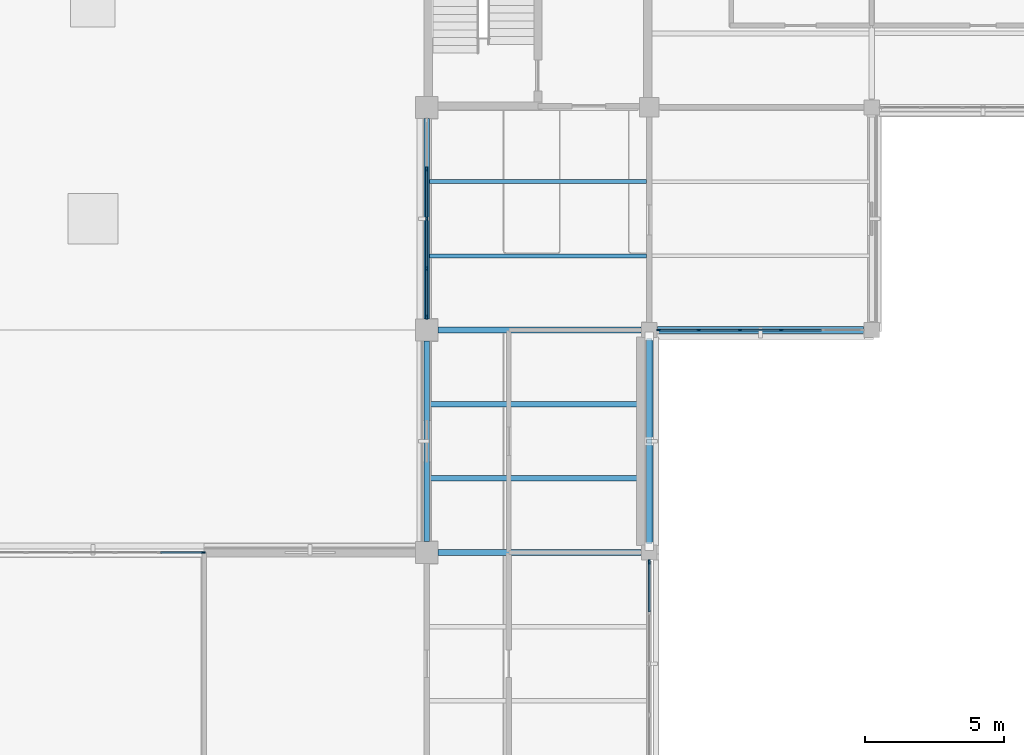
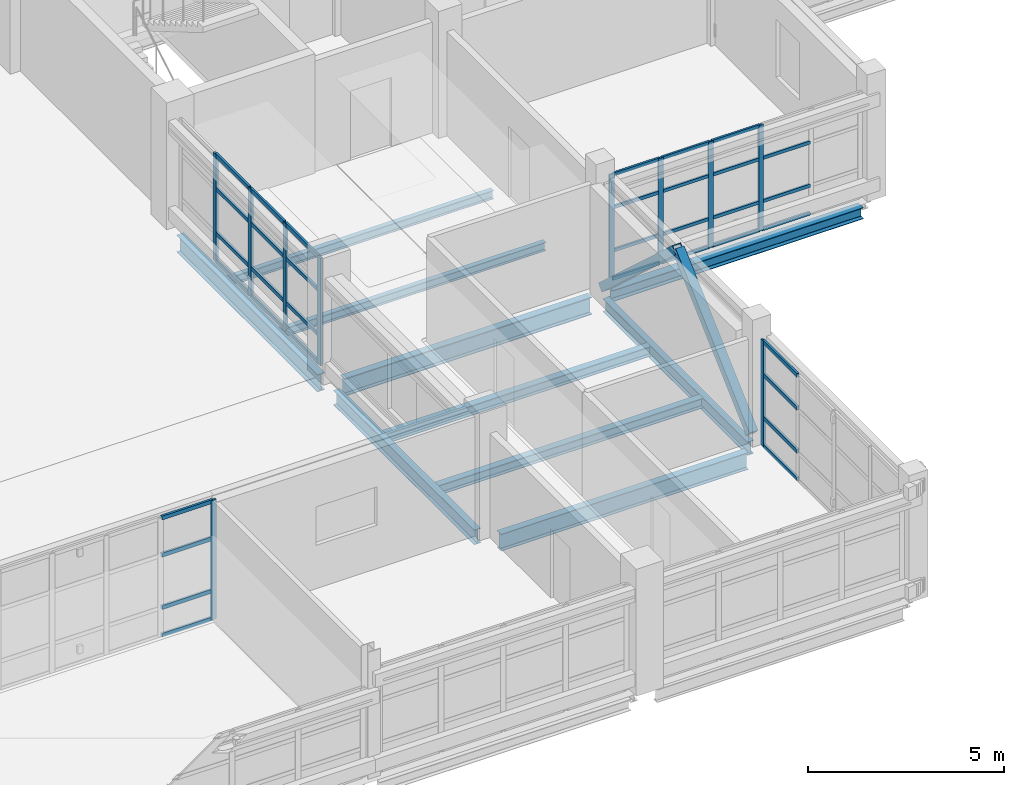
# One storey, part 24 of 107: 47 members, 10 beams, 4 elements without a shape of their own.
"""IFC4 building model written with IfcOpenShell, lengths in metres."""

import ifcopenshell
import ifcopenshell.guid

model = None  # the IFC model being written
_history = None  # IfcOwnerHistory: only IFC2X3 demands one
_inside = {}  # id of a spatial element -> (the spatial element, [elements in it])
_under = {}  # id of a project, library or spatial element -> (it, [spatial elements below it])
_declared = {}  # id of a project -> (the project, [libraries it declares])
_typed = {}  # id of a type object -> (the type object, [elements of that type])
_made_of = {}  # id of a material, layer set ... -> (it, [elements and type objects made of it])


def new_model(schema):
    """Start an empty IFC model of exactly this schema.

    Asked for "IFC4X3", IfcOpenShell would pick the latest addendum, in which some entities
    have other attributes; the version numbers below select the first issue.
    IFC2X3 requires an IfcOwnerHistory on every rooted entity: one is made here for all.
    """
    global model, _history
    if schema == "IFC4X3":
        model = ifcopenshell.file(schema_version=(4, 3, 0, 0))
    else:
        model = ifcopenshell.file(schema=schema)
    _inside.clear()
    _under.clear()
    _declared.clear()
    _typed.clear()
    _made_of.clear()
    _history = None
    if model.schema == "IFC2X3":
        org = make("IfcOrganization", Name="unknown")
        user = make(
            "IfcPersonAndOrganization",
            ThePerson=make("IfcPerson", FamilyName="unknown"),
            TheOrganization=org,
        )
        app = make(
            "IfcApplication",
            ApplicationDeveloper=org,
            Version="unknown",
            ApplicationFullName="unknown",
            ApplicationIdentifier="unknown",
        )
        _history = make(
            "IfcOwnerHistory",
            OwningUser=user,
            OwningApplication=app,
            ChangeAction="ADDED",
            CreationDate=0,
        )
    return model


def make(cls, **values):
    """One entity of the class cls with the attributes given. An attribute that is None is left unset."""
    return model.create_entity(
        cls, **{name: value for name, value in values.items() if value is not None}
    )


def rooted(cls, **values):
    """An entity with a GlobalId (a new one), such as an element, a storey or a relation."""
    return make(cls, GlobalId=ifcopenshell.guid.new(), OwnerHistory=_history, **values)


def si_unit(unit_type, name, prefix=None):
    """IfcSIUnit, for example si_unit("LENGTHUNIT", "METRE", prefix="MILLI")."""
    return make("IfcSIUnit", UnitType=unit_type, Prefix=prefix, Name=name)


def derived_unit(unit_type, elements):
    """IfcDerivedUnit: a product of units, each with its exponent."""
    return make(
        "IfcDerivedUnit",
        Elements=[
            make("IfcDerivedUnitElement", Unit=unit, Exponent=power)
            for unit, power in elements
        ],
        UnitType=unit_type,
    )


def assignment(units):
    """IfcUnitAssignment: the units of a project."""
    return None if units is None else make("IfcUnitAssignment", Units=units)


def point(xyz):
    """IfcCartesianPoint."""
    return None if xyz is None else make("IfcCartesianPoint", Coordinates=xyz)


def direction(xyz):
    """IfcDirection."""
    return None if xyz is None else make("IfcDirection", DirectionRatios=xyz)


def frame(location, z_axis=None, x_axis=None):
    """IfcAxis2Placement3D, a coordinate frame: its origin and axes. An axis left out is left unset."""
    return make(
        "IfcAxis2Placement3D",
        Location=point(location),
        Axis=direction(z_axis),
        RefDirection=direction(x_axis),
    )


def frame_2d(location, x_axis=None):
    """IfcAxis2Placement2D, a coordinate frame in the plane: its origin and x axis."""
    return make(
        "IfcAxis2Placement2D", Location=point(location), RefDirection=direction(x_axis)
    )


def origin():
    """The frame at (0, 0, 0) with its axes left unset."""
    return frame((0.0, 0.0, 0.0))


def origin_2d():
    """The frame at (0, 0) in the plane with its x axis left unset."""
    return frame_2d((0.0, 0.0))


def place(relative_to, where):
    """IfcLocalPlacement: puts the frame where relative to a parent placement (None: the world)."""
    return make(
        "IfcLocalPlacement", PlacementRelTo=relative_to, RelativePlacement=where
    )


def context(
    kind, dimensions, precision=None, world=None, true_north=None, identifier=None
):
    """IfcGeometricRepresentationContext, for example the 3D "Model" context."""
    return make(
        "IfcGeometricRepresentationContext",
        ContextIdentifier=identifier,
        ContextType=kind,
        CoordinateSpaceDimension=dimensions,
        Precision=precision,
        WorldCoordinateSystem=world,
        TrueNorth=true_north,
    )


def subcontext(parent, identifier, kind, view, scale=None):
    """IfcGeometricRepresentationSubContext, for example "Body" below "Model"."""
    return make(
        "IfcGeometricRepresentationSubContext",
        ContextIdentifier=identifier,
        ContextType=kind,
        ParentContext=parent,
        TargetScale=scale,
        TargetView=view,
    )


def project(units=None, contexts=None):
    """IfcProject with its units and contexts."""
    return rooted(
        "IfcProject",
        Name="project",
        RepresentationContexts=contexts,
        UnitsInContext=assignment(units),
    )


def spatial(cls, under=None, at=None, **own):
    """A site, building, storey or space (cls), placed at a placement, below another one or the project."""
    s = rooted(cls, ObjectPlacement=at, **own)
    if under is not None:
        _under.setdefault(under.id(), (under, []))[1].append(s)
    return s


def profile(cls, at=None, kind="AREA", **sizes):
    """A parametric profile (cls). Its sizes go by their IFC names, for example OverallWidth=200.0."""
    return make(cls, ProfileType=kind, Position=at, **sizes)


def rectangle(**sizes):
    """IfcRectangleProfileDef."""
    return profile("IfcRectangleProfileDef", **sizes)


def hollow_rectangle(**sizes):
    """IfcRectangleHollowProfileDef."""
    return profile("IfcRectangleHollowProfileDef", **sizes)


def i_section(**sizes):
    """IfcIShapeProfileDef."""
    return profile("IfcIShapeProfileDef", **sizes)


def extrude(swept, where, along, depth):
    """IfcExtrudedAreaSolid: the profile swept, set in the frame where, extruded along a direction by depth."""
    return make(
        "IfcExtrudedAreaSolid",
        SweptArea=swept,
        Position=where,
        ExtrudedDirection=direction(along),
        Depth=depth,
    )


def shape(context_of_items, identifier, shape_type, items):
    """IfcShapeRepresentation: the items that make up one representation, for example the "Body"."""
    return make(
        "IfcShapeRepresentation",
        ContextOfItems=context_of_items,
        RepresentationIdentifier=identifier,
        RepresentationType=shape_type,
        Items=items,
    )


def material(Name=None, Category=None):
    """IfcMaterial."""
    return make("IfcMaterial", Name=Name, Category=Category)


def layer(
    of_material, thickness, ventilated=None, Name=None, Category=None, Priority=None
):
    """IfcMaterialLayer: one layer of a wall or slab, of a material (None: an air gap)."""
    return make(
        "IfcMaterialLayer",
        Material=of_material,
        LayerThickness=thickness,
        IsVentilated=ventilated,
        Name=Name,
        Category=Category,
        Priority=Priority,
    )


def layer_set(layers, Name=None):
    """IfcMaterialLayerSet."""
    return make("IfcMaterialLayerSet", MaterialLayers=layers, LayerSetName=Name)


def material_profile(
    of_material, cross_section, Name=None, Category=None, Priority=None
):
    """IfcMaterialProfile: a cross section and its material."""
    return make(
        "IfcMaterialProfile",
        Name=Name,
        Material=of_material,
        Profile=cross_section,
        Priority=Priority,
        Category=Category,
    )


def profile_set(profiles, Name=None, composite=None):
    """IfcMaterialProfileSet."""
    return make(
        "IfcMaterialProfileSet",
        Name=Name,
        MaterialProfiles=profiles,
        CompositeProfile=composite,
    )


def made_of(thing, what):
    """Note that an element or type object is made of a material, layer set ...; save() writes the relation."""
    if what is not None:
        _made_of.setdefault(what.id(), (what, []))[1].append(thing)
    return thing


def type_object(cls, material=None, **own):
    """A type object (cls), such as IfcWallType, which elements share."""
    return made_of(rooted(cls, **own), material)


def element(
    cls,
    number,
    at=None,
    inside=None,
    cuts=None,
    type_object=None,
    material=None,
    context=None,
    identifier="Body",
    shape_type=None,
    held_by="IfcProductDefinitionShape",
    body=None,
    shapes=None,
    **own,
):
    """One element of the class cls, such as IfcWall. Its Tag is "e" and its number.

    at: its placement. inside: the storey or other place that contains it. cuts: it is an
    opening in that element (IfcRelVoidsElement). A single representation is given by context,
    identifier, shape_type and body (its items); several are given by shapes. held_by: the class
    of the entity that holds the representations. save() writes the other relations.
    """
    e = rooted(cls, Tag="e%d" % number, ObjectPlacement=at, **own)
    if body is not None:
        shapes = [shape(context, identifier, shape_type, body)]
    if shapes is not None:
        e.Representation = make(held_by, Representations=shapes)
    if inside is not None:
        _inside.setdefault(inside.id(), (inside, []))[1].append(e)
    if cuts is not None:
        rooted(
            "IfcRelVoidsElement", RelatingBuildingElement=cuts, RelatedOpeningElement=e
        )
    if type_object is not None:
        _typed.setdefault(type_object.id(), (type_object, []))[1].append(e)
    return made_of(e, material)


def aggregate(whole, parts):
    """IfcRelAggregates: a whole, such as a stair, and the parts it consists of."""
    return rooted("IfcRelAggregates", RelatingObject=whole, RelatedObjects=parts)


def save(model, path):
    """Write the relations noted so far, then the file.

    IfcRelAggregates (storeys below a building ...), IfcRelContainedInSpatialStructure (elements
    in a storey), IfcRelDefinesByType, IfcRelAssociatesMaterial and IfcRelDeclares: one each for
    every whole, place, type object, material and project.
    """
    for whole, parts in _under.values():
        aggregate(whole, parts)
    for where, things in _inside.values():
        rooted(
            "IfcRelContainedInSpatialStructure",
            RelatedElements=things,
            RelatingStructure=where,
        )
    for kind, things in _typed.values():
        rooted("IfcRelDefinesByType", RelatedObjects=things, RelatingType=kind)
    for what, things in _made_of.values():
        rooted("IfcRelAssociatesMaterial", RelatedObjects=things, RelatingMaterial=what)
    for by, libraries in _declared.values():
        rooted("IfcRelDeclares", RelatingContext=by, RelatedDefinitions=libraries)
    model.write(path)


model = new_model("IFC4")

# Units and contexts
model_context = context("Model", 3, precision=1e-05, world=origin(), true_north=direction((0.0, 1.0)))
body_context = subcontext(model_context, "Body", "Model", "MODEL_VIEW")
ifc_project = project(units=[si_unit("LENGTHUNIT", "METRE"), si_unit("AREAUNIT", "SQUARE_METRE"), si_unit("VOLUMEUNIT", "CUBIC_METRE"), si_unit("PLANEANGLEUNIT", "RADIAN"), si_unit("MASSUNIT", "GRAM", prefix="KILO"), derived_unit("THERMALTRANSMITTANCEUNIT", [(si_unit("MASSUNIT", "GRAM", prefix="KILO"), 1), (si_unit("TIMEUNIT", "SECOND"), -3), (si_unit("THERMODYNAMICTEMPERATUREUNIT", "KELVIN"), -1)])], contexts=[model_context])

# Site, building, storey
site_placement = place(None, origin())
site = spatial("IfcSite", under=ifc_project, at=site_placement, CompositionType="ELEMENT")
building_placement = place(site_placement, origin())
building = spatial("IfcBuilding", under=site, at=building_placement, Name="Veyamyaing Civic Hall", CompositionType="ELEMENT")
storey_placement = place(building_placement, frame((0.0, 0.0, 13.860107421875)))
storey = spatial("IfcBuildingStorey", under=building, at=storey_placement, Name="L03", CompositionType="ELEMENT", Elevation=13.860107421875)

# Beams
ifc_material_1 = material(Name="Steel ASTM A992", Category="steel")
ifc_material_profile_1 = material_profile(ifc_material_1, i_section(OverallWidth=0.208984375, OverallDepth=0.532958984375, WebThickness=0.01025390625, FlangeThickness=0.015625, FilletRadius=0.011962890625, at=origin_2d()), Name="W530X92")
ifc_profile_set_1 = profile_set([ifc_material_profile_1], Name="Steel ASTM A992")
beam_type_1 = type_object("IfcBeamType", Name="B-07", PredefinedType="BEAM", material=ifc_profile_set_1)
beam_1_placement = place(storey_placement, frame((104.39990234375, 32.0, -0.521728515625), z_axis=(1.0, 0.0, 0.0), x_axis=(0.0, 1.0, 0.0)))
element("IfcBeam", 1, at=beam_1_placement, inside=storey, type_object=beam_type_1, Name="Girder B-07 L03 Grid E 14-15", PredefinedType="BEAM", context=body_context, shape_type="SweptSolid", body=[
    extrude(i_section(OverallWidth=0.208984375, OverallDepth=0.532958984375, WebThickness=0.01025390625, FlangeThickness=0.015625, FilletRadius=0.011962890625, at=origin_2d()), origin(), (0.0, 0.0, 1.0), 7.300048828125),
])
ifc_material_profile_2 = material_profile(ifc_material_1, i_section(OverallWidth=0.19189453125, OverallDepth=0.462890625, WebThickness=0.010498046875, FlangeThickness=0.017578125, FilletRadius=0.010009765625, at=origin_2d()), Name="W460X89")
ifc_profile_set_2 = profile_set([ifc_material_profile_2], Name="Steel ASTM A992")
beam_type_2 = type_object("IfcBeamType", Name="B-08", PredefinedType="BEAM", material=ifc_profile_set_2)
beam_2_placement = place(storey_placement, frame((104.0, 32.39990234375, -0.486572265625), z_axis=(0.0, 1.0, 0.0), x_axis=(-1.0, 0.0, 0.0)))
element("IfcBeam", 2, at=beam_2_placement, inside=storey, type_object=beam_type_2, Name="Girder B-08 L03 Grid 14 E-F", PredefinedType="BEAM", context=body_context, shape_type="SweptSolid", body=[
    extrude(i_section(OverallWidth=0.19189453125, OverallDepth=0.462890625, WebThickness=0.010498046875, FlangeThickness=0.017578125, FilletRadius=0.010009765625, at=origin_2d()), origin(), (0.0, 0.0, 1.0), 7.2001953125),
])
ifc_material_profile_3 = material_profile(ifc_material_1, i_section(OverallWidth=0.214111328125, OverallDepth=0.549072265625, WebThickness=0.0146484375, FlangeThickness=0.023681640625, FilletRadius=0.011962890625, at=origin_2d()), Name="W530X138")
ifc_profile_set_3 = profile_set([ifc_material_profile_3], Name="Steel ASTM A992")
beam_type_3 = type_object("IfcBeamType", Name="B-16", PredefinedType="BEAM", material=ifc_profile_set_3)
beam_3_placement = place(storey_placement, frame((104.39990234375, 40.0, -0.529541015625), z_axis=(1.0, 0.0, 0.0), x_axis=(0.0, 1.0, 0.0)))
element("IfcBeam", 3, at=beam_3_placement, inside=storey, type_object=beam_type_3, Name="Girder B-16 L03 Grid F 14-15", PredefinedType="BEAM", context=body_context, shape_type="SweptSolid", body=[
    extrude(i_section(OverallWidth=0.214111328125, OverallDepth=0.549072265625, WebThickness=0.0146484375, FlangeThickness=0.023681640625, FilletRadius=0.011962890625, at=origin_2d()), origin(), (0.0, 0.0, 1.0), 7.300048828125),
])
ifc_material_profile_4 = material_profile(ifc_material_1, i_section(OverallWidth=0.2109375, OverallDepth=0.5390625, WebThickness=0.01171875, FlangeThickness=0.018798828125, FilletRadius=0.011962890625, at=origin_2d()), Name="W530X109")
ifc_profile_set_4 = profile_set([ifc_material_profile_4], Name="Steel ASTM A992")
beam_type_4 = type_object("IfcBeamType", Name="B-17", PredefinedType="BEAM", material=ifc_profile_set_4)
beam_4_placement = place(storey_placement, frame((104.0, 40.39990234375, -0.524658203125), z_axis=(0.0, 1.0, 0.0), x_axis=(-1.0, 0.0, 0.0)))
element("IfcBeam", 4, at=beam_4_placement, inside=storey, type_object=beam_type_4, Name="Girder B-17 L03 Grid 14 F-G", PredefinedType="BEAM", context=body_context, shape_type="SweptSolid", body=[
    extrude(i_section(OverallWidth=0.2109375, OverallDepth=0.5390625, WebThickness=0.01171875, FlangeThickness=0.018798828125, FilletRadius=0.011962890625, at=origin_2d()), origin(), (0.0, 0.0, 1.0), 7.2001953125),
])
ifc_material_profile_5 = material_profile(ifc_material_1, i_section(OverallWidth=0.180908203125, OverallDepth=0.4169921875, WebThickness=0.010986328125, FlangeThickness=0.018310546875, FilletRadius=0.010009765625, at=origin_2d()), Name="W410X85")
ifc_profile_set_5 = profile_set([ifc_material_profile_5], Name="Steel ASTM A992")
beam_type_5 = type_object("IfcBeamType", Name="B-19", PredefinedType="SPANDREL", material=ifc_profile_set_5)
beam_5_placement = place(storey_placement, frame((112.0, 32.300048828125, -0.463623046875), z_axis=(0.0, 1.0, 0.0), x_axis=(-1.0, 0.0, 0.0)))
element("IfcBeam", 5, at=beam_5_placement, inside=storey, type_object=beam_type_5, Name="Girder B-19 L03 Grid 15 E-F", PredefinedType="SPANDREL", context=body_context, shape_type="SweptSolid", body=[
    extrude(i_section(OverallWidth=0.180908203125, OverallDepth=0.4169921875, WebThickness=0.010986328125, FlangeThickness=0.018310546875, FilletRadius=0.010009765625, at=origin_2d()), origin(), (0.0, 0.0, 1.0), 7.39990234375),
])
ifc_material_profile_6 = material_profile(ifc_material_1, i_section(OverallWidth=0.25390625, OverallDepth=0.35302734375, WebThickness=0.009521484375, FlangeThickness=0.016357421875, FilletRadius=0.011962890625, at=origin_2d()), Name="W360X91")
ifc_profile_set_6 = profile_set([ifc_material_profile_6], Name="Steel ASTM A992")
beam_type_6 = type_object("IfcBeamType", Name="B-20", PredefinedType="SPANDREL", material=ifc_profile_set_6)
beam_6_placement = place(storey_placement, frame((112.300048828125, 40.0, -0.431640625), z_axis=(1.0, 0.0, 0.0), x_axis=(0.0, 1.0, 0.0)))
element("IfcBeam", 6, at=beam_6_placement, inside=storey, type_object=beam_type_6, Name="Girder B-20 L03 Grid F 15-16", PredefinedType="SPANDREL", context=body_context, shape_type="SweptSolid", body=[
    extrude(i_section(OverallWidth=0.25390625, OverallDepth=0.35302734375, WebThickness=0.009521484375, FlangeThickness=0.016357421875, FilletRadius=0.011962890625, at=origin_2d()), origin(), (0.0, 0.0, 1.0), 7.39990234375),
])

# Members
ifc_material_2 = material(Name="Steel S355J2", Category="steel")
ifc_material_profile_7 = material_profile(ifc_material_2, hollow_rectangle(XDim=0.25390625, YDim=0.25390625, WallThickness=0.0126953125, at=origin_2d()), Name="HSS254X254X12.7")
ifc_profile_set_7 = profile_set([ifc_material_profile_7], Name="Steel S355J2")
member_type_1 = type_object("IfcMemberType", Name="BR-01", PredefinedType="BRACE", material=ifc_profile_set_7)
for number, where, z_axis, x_axis, name in (
    (7, (112.0, 32.219970703125, 0.0498046875), (0.0, 0.73762264058, 0.675213181227), (-1.0, 0.0, 0.0), "Seismic chevron brace BR-01 BF-CE L03.L"),
    (8, (112.0, 39.780029296875, 0.0498046875), (0.0, -0.73762264058, 0.675213181227), (1.0, 0.0, 0.0), "Seismic chevron brace BR-01 BF-CE L03.R"),
):
    element("IfcMember", number, at=place(storey_placement, frame(where, z_axis=z_axis, x_axis=x_axis)), inside=storey, type_object=member_type_1, Name=name, PredefinedType="BRACE", context=body_context, shape_type="SweptSolid", body=[
        extrude(hollow_rectangle(XDim=0.25390625, YDim=0.25390625, WallThickness=0.0126953125, at=origin_2d()), origin(), (0.0, 0.0, 1.0), 5.12451171875),
    ])

# Curtain wall, member
ifc_material_3 = material(Name="Anodised aluminium 6063-T6", Category="aluminium")
ifc_layer_1 = layer(ifc_material_3, 0.159912109375, Name="Anodised aluminium 6063-T6")
ifc_layer_set_1 = layer_set([ifc_layer_1], Name="Anodised aluminium 6063-T6")
curtain_wall_type_1 = type_object("IfcCurtainWallType", Name="CW-07", PredefinedType="NOTDEFINED", material=ifc_layer_set_1)
curtain_wall_1_placement = place(storey_placement, origin())
curtain_wall_1 = element("IfcCurtainWall", 9, at=curtain_wall_1_placement, inside=storey, type_object=curtain_wall_type_1, Name="Unitized curtain wall CW-07 L03 N 12.4", PredefinedType="NOTDEFINED")
ifc_material_profile_8 = material_profile(ifc_material_3, rectangle(XDim=0.06494140625, YDim=0.159912109375, at=origin_2d()), Name="ALU-MUL-65X160")
ifc_profile_set_8 = profile_set([ifc_material_profile_8], Name="Anodised aluminium 6063-T6")
member_type_2 = type_object("IfcMemberType", Name="CWM-01", PredefinedType="MULLION", material=ifc_profile_set_8)
member_1_placement = place(storey_placement, frame((95.967529296875, 32.0, 0.0), z_axis=(0.0, 0.0, 1.0), x_axis=(0.0, 1.0, 0.0)))
member_1 = element("IfcMember", 10, at=member_1_placement, type_object=member_type_2, Name="CW-07 mullion 6", PredefinedType="MULLION", context=body_context, shape_type="SweptSolid", body=[
    extrude(rectangle(XDim=0.06494140625, YDim=0.159912109375, at=origin_2d()), origin(), (0.0, 0.0, 1.0), 3.724853515625),
])

curtain_wall_2_placement = place(storey_placement, origin())
curtain_wall_2 = element("IfcCurtainWall", 11, at=curtain_wall_2_placement, inside=storey, type_object=curtain_wall_type_1, Name="Unitized curtain wall CW-07 L03 E 14.4", PredefinedType="NOTDEFINED")
member_2_placement = place(storey_placement, frame((112.0, 31.66259765625, 0.0), z_axis=(0.0, 0.0, 1.0), x_axis=(-1.0, 0.0, 0.0)))
member_2 = element("IfcMember", 12, at=member_2_placement, type_object=member_type_2, Name="CW-07 mullion 5", PredefinedType="MULLION", context=body_context, shape_type="SweptSolid", body=[
    extrude(rectangle(XDim=0.06494140625, YDim=0.159912109375, at=origin_2d()), origin(), (0.0, 0.0, 1.0), 3.2998046875),
])

# Curtain wall, members
curtain_wall_3_placement = place(storey_placement, origin())
curtain_wall_3 = element("IfcCurtainWall", 13, at=curtain_wall_3_placement, inside=storey, type_object=curtain_wall_type_1, Name="Unitized curtain wall CW-07 L03 W 14.6", PredefinedType="NOTDEFINED")
member_3_placement = place(storey_placement, frame((104.0, 40.46240234375, 0.0), z_axis=(0.0, 0.0, 1.0), x_axis=(-1.0, 0.0, 0.0)))
member_3 = element("IfcMember", 14, at=member_3_placement, type_object=member_type_2, Name="CW-07 mullion 1", PredefinedType="MULLION", context=body_context, shape_type="SweptSolid", body=[
    extrude(rectangle(XDim=0.06494140625, YDim=0.159912109375, at=origin_2d()), origin(), (0.0, 0.0, 1.0), 3.364013671875),
])
member_4_placement = place(storey_placement, frame((104.0, 42.215087890625, 0.0), z_axis=(0.0, 0.0, 1.0), x_axis=(-1.0, 0.0, 0.0)))
member_4 = element("IfcMember", 15, at=member_4_placement, type_object=member_type_2, Name="CW-07 mullion 2", PredefinedType="MULLION", context=body_context, shape_type="SweptSolid", body=[
    extrude(rectangle(XDim=0.06494140625, YDim=0.159912109375, at=origin_2d()), origin(), (0.0, 0.0, 1.0), 3.364013671875),
])
member_5_placement = place(storey_placement, frame((104.0, 44.0, 0.0), z_axis=(0.0, 0.0, 1.0), x_axis=(-1.0, 0.0, 0.0)))
member_5 = element("IfcMember", 16, at=member_5_placement, type_object=member_type_2, Name="CW-07 mullion 3", PredefinedType="MULLION", context=body_context, shape_type="SweptSolid", body=[
    extrude(rectangle(XDim=0.06494140625, YDim=0.159912109375, at=origin_2d()), origin(), (0.0, 0.0, 1.0), 3.364013671875),
])
member_6_placement = place(storey_placement, frame((104.0, 45.784912109375, 0.0), z_axis=(0.0, 0.0, 1.0), x_axis=(-1.0, 0.0, 0.0)))
member_6 = element("IfcMember", 17, at=member_6_placement, type_object=member_type_2, Name="CW-07 mullion 4", PredefinedType="MULLION", context=body_context, shape_type="SweptSolid", body=[
    extrude(rectangle(XDim=0.06494140625, YDim=0.159912109375, at=origin_2d()), origin(), (0.0, 0.0, 1.0), 3.364013671875),
])

ifc_layer_2 = layer(ifc_material_3, 0.139892578125, Name="Anodised aluminium 6063-T6")
ifc_layer_set_2 = layer_set([ifc_layer_2], Name="Anodised aluminium 6063-T6")
curtain_wall_type_2 = type_object("IfcCurtainWallType", Name="CW-04", PredefinedType="NOTDEFINED", material=ifc_layer_set_2)
curtain_wall_4_placement = place(storey_placement, origin())
curtain_wall_4 = element("IfcCurtainWall", 18, at=curtain_wall_4_placement, inside=storey, type_object=curtain_wall_type_2, Name="Unitized curtain wall CW-04 L03 S 15.6", PredefinedType="NOTDEFINED")
ifc_material_profile_9 = material_profile(ifc_material_3, rectangle(XDim=0.06005859375, YDim=0.139892578125, at=origin_2d()), Name="ALU-MUL-60X140")
ifc_profile_set_9 = profile_set([ifc_material_profile_9], Name="Anodised aluminium 6063-T6")
member_type_3 = type_object("IfcMemberType", Name="CWM-03", PredefinedType="MULLION", material=ifc_profile_set_9)
member_7_placement = place(storey_placement, frame((112.3349609375, 40.0, 0.0), z_axis=(0.0, 0.0, 1.0), x_axis=(0.0, 1.0, 0.0)))
member_7 = element("IfcMember", 19, at=member_7_placement, type_object=member_type_3, Name="CW-04 mullion 1", PredefinedType="MULLION", context=body_context, shape_type="SweptSolid", body=[
    extrude(rectangle(XDim=0.06005859375, YDim=0.139892578125, at=origin_2d()), origin(), (0.0, 0.0, 1.0), 3.303955078125),
])
member_8_placement = place(storey_placement, frame((113.782958984375, 40.0, 0.0), z_axis=(0.0, 0.0, 1.0), x_axis=(0.0, 1.0, 0.0)))
member_8 = element("IfcMember", 20, at=member_8_placement, type_object=member_type_3, Name="CW-04 mullion 2", PredefinedType="MULLION", context=body_context, shape_type="SweptSolid", body=[
    extrude(rectangle(XDim=0.06005859375, YDim=0.139892578125, at=origin_2d()), origin(), (0.0, 0.0, 1.0), 3.303955078125),
])
member_9_placement = place(storey_placement, frame((115.260986328125, 40.0, 0.0), z_axis=(0.0, 0.0, 1.0), x_axis=(0.0, 1.0, 0.0)))
member_9 = element("IfcMember", 21, at=member_9_placement, type_object=member_type_3, Name="CW-04 mullion 3", PredefinedType="MULLION", context=body_context, shape_type="SweptSolid", body=[
    extrude(rectangle(XDim=0.06005859375, YDim=0.139892578125, at=origin_2d()), origin(), (0.0, 0.0, 1.0), 3.303955078125),
])
member_10_placement = place(storey_placement, frame((116.739013671875, 40.0, 0.0), z_axis=(0.0, 0.0, 1.0), x_axis=(0.0, 1.0, 0.0)))
member_10 = element("IfcMember", 22, at=member_10_placement, type_object=member_type_3, Name="CW-04 mullion 4", PredefinedType="MULLION", context=body_context, shape_type="SweptSolid", body=[
    extrude(rectangle(XDim=0.06005859375, YDim=0.139892578125, at=origin_2d()), origin(), (0.0, 0.0, 1.0), 3.303955078125),
])

# Member
ifc_material_profile_10 = material_profile(ifc_material_3, rectangle(XDim=0.06494140625, YDim=0.1201171875, at=origin_2d()), Name="ALU-TRN-65X120")
ifc_profile_set_10 = profile_set([ifc_material_profile_10], Name="Anodised aluminium 6063-T6")
member_type_4 = type_object("IfcMemberType", Name="CWT-01", PredefinedType="USERDEFINED", material=ifc_profile_set_10)
member_11_placement = place(storey_placement, frame((94.4326171875, 32.0, 0.032470703125), z_axis=(1.0, 0.0, 0.0), x_axis=(0.0, 1.0, 0.0)))
member_11 = element("IfcMember", 23, at=member_11_placement, type_object=member_type_4, Name="CW-07 transom 5.1", ObjectType="TRANSOM", PredefinedType="USERDEFINED", context=body_context, shape_type="SweptSolid", body=[
    extrude(rectangle(XDim=0.06494140625, YDim=0.1201171875, at=origin_2d()), origin(), (0.0, 0.0, 1.0), 1.50244140625),
])

member_12_placement = place(storey_placement, frame((94.4326171875, 32.0, 0.89990234375), z_axis=(1.0, 0.0, 0.0), x_axis=(0.0, 1.0, 0.0)))
member_12 = element("IfcMember", 24, at=member_12_placement, type_object=member_type_4, Name="CW-07 transom 5.2", ObjectType="TRANSOM", PredefinedType="USERDEFINED", context=body_context, shape_type="SweptSolid", body=[
    extrude(rectangle(XDim=0.06494140625, YDim=0.1201171875, at=origin_2d()), origin(), (0.0, 0.0, 1.0), 1.50244140625),
])

member_13_placement = place(storey_placement, frame((94.4326171875, 32.0, 2.532958984375), z_axis=(1.0, 0.0, 0.0), x_axis=(0.0, 1.0, 0.0)))
member_13 = element("IfcMember", 25, at=member_13_placement, type_object=member_type_4, Name="CW-07 transom 5.3", ObjectType="TRANSOM", PredefinedType="USERDEFINED", context=body_context, shape_type="SweptSolid", body=[
    extrude(rectangle(XDim=0.06494140625, YDim=0.1201171875, at=origin_2d()), origin(), (0.0, 0.0, 1.0), 1.50244140625),
])

member_14_placement = place(storey_placement, frame((94.4326171875, 32.0, 3.6923828125), z_axis=(1.0, 0.0, 0.0), x_axis=(0.0, 1.0, 0.0)))
member_14 = element("IfcMember", 26, at=member_14_placement, type_object=member_type_4, Name="CW-07 transom 5.4", ObjectType="TRANSOM", PredefinedType="USERDEFINED", context=body_context, shape_type="SweptSolid", body=[
    extrude(rectangle(XDim=0.06494140625, YDim=0.1201171875, at=origin_2d()), origin(), (0.0, 0.0, 1.0), 1.50244140625),
])

aggregate(curtain_wall_1, [member_1, member_11, member_12, member_13, member_14])

member_15_placement = place(storey_placement, frame((112.0, 29.8798828125, 0.032470703125), z_axis=(0.0, 1.0, 0.0), x_axis=(-1.0, 0.0, 0.0)))
member_15 = element("IfcMember", 27, at=member_15_placement, type_object=member_type_4, Name="CW-07 transom 4.1", ObjectType="TRANSOM", PredefinedType="USERDEFINED", context=body_context, shape_type="SweptSolid", body=[
    extrude(rectangle(XDim=0.06494140625, YDim=0.1201171875, at=origin_2d()), origin(), (0.0, 0.0, 1.0), 1.75),
])

member_16_placement = place(storey_placement, frame((112.0, 29.8798828125, 0.89990234375), z_axis=(0.0, 1.0, 0.0), x_axis=(-1.0, 0.0, 0.0)))
member_16 = element("IfcMember", 28, at=member_16_placement, type_object=member_type_4, Name="CW-07 transom 4.2", ObjectType="TRANSOM", PredefinedType="USERDEFINED", context=body_context, shape_type="SweptSolid", body=[
    extrude(rectangle(XDim=0.06494140625, YDim=0.1201171875, at=origin_2d()), origin(), (0.0, 0.0, 1.0), 1.75),
])

member_17_placement = place(storey_placement, frame((112.0, 29.8798828125, 2.243896484375), z_axis=(0.0, 1.0, 0.0), x_axis=(-1.0, 0.0, 0.0)))
member_17 = element("IfcMember", 29, at=member_17_placement, type_object=member_type_4, Name="CW-07 transom 4.3", ObjectType="TRANSOM", PredefinedType="USERDEFINED", context=body_context, shape_type="SweptSolid", body=[
    extrude(rectangle(XDim=0.06494140625, YDim=0.1201171875, at=origin_2d()), origin(), (0.0, 0.0, 1.0), 1.75),
])

member_18_placement = place(storey_placement, frame((112.0, 29.8798828125, 3.267333984375), z_axis=(0.0, 1.0, 0.0), x_axis=(-1.0, 0.0, 0.0)))
member_18 = element("IfcMember", 30, at=member_18_placement, type_object=member_type_4, Name="CW-07 transom 4.4", ObjectType="TRANSOM", PredefinedType="USERDEFINED", context=body_context, shape_type="SweptSolid", body=[
    extrude(rectangle(XDim=0.06494140625, YDim=0.1201171875, at=origin_2d()), origin(), (0.0, 0.0, 1.0), 1.75),
])

aggregate(curtain_wall_2, [member_2, member_15, member_16, member_17, member_18])

member_19_placement = place(storey_placement, frame((104.0, 40.4951171875, 0.032470703125), z_axis=(0.0, 1.0, 0.0), x_axis=(-1.0, 0.0, 0.0)))
member_19 = element("IfcMember", 31, at=member_19_placement, type_object=member_type_4, Name="CW-07 transom 1.1", ObjectType="TRANSOM", PredefinedType="USERDEFINED", context=body_context, shape_type="SweptSolid", body=[
    extrude(rectangle(XDim=0.06494140625, YDim=0.1201171875, at=origin_2d()), origin(), (0.0, 0.0, 1.0), 1.6875),
])

member_20_placement = place(storey_placement, frame((104.0, 40.4951171875, 0.89990234375), z_axis=(0.0, 1.0, 0.0), x_axis=(-1.0, 0.0, 0.0)))
member_20 = element("IfcMember", 32, at=member_20_placement, type_object=member_type_4, Name="CW-07 transom 1.2", ObjectType="TRANSOM", PredefinedType="USERDEFINED", context=body_context, shape_type="SweptSolid", body=[
    extrude(rectangle(XDim=0.06494140625, YDim=0.1201171875, at=origin_2d()), origin(), (0.0, 0.0, 1.0), 1.6875),
])

member_21_placement = place(storey_placement, frame((104.0, 40.4951171875, 2.287353515625), z_axis=(0.0, 1.0, 0.0), x_axis=(-1.0, 0.0, 0.0)))
member_21 = element("IfcMember", 33, at=member_21_placement, type_object=member_type_4, Name="CW-07 transom 1.3", ObjectType="TRANSOM", PredefinedType="USERDEFINED", context=body_context, shape_type="SweptSolid", body=[
    extrude(rectangle(XDim=0.06494140625, YDim=0.1201171875, at=origin_2d()), origin(), (0.0, 0.0, 1.0), 1.6875),
])

member_22_placement = place(storey_placement, frame((104.0, 40.4951171875, 3.331298828125), z_axis=(0.0, 1.0, 0.0), x_axis=(-1.0, 0.0, 0.0)))
member_22 = element("IfcMember", 34, at=member_22_placement, type_object=member_type_4, Name="CW-07 transom 1.4", ObjectType="TRANSOM", PredefinedType="USERDEFINED", context=body_context, shape_type="SweptSolid", body=[
    extrude(rectangle(XDim=0.06494140625, YDim=0.1201171875, at=origin_2d()), origin(), (0.0, 0.0, 1.0), 1.6875),
])

member_23_placement = place(storey_placement, frame((104.0, 42.24755859375, 0.032470703125), z_axis=(0.0, 1.0, 0.0), x_axis=(-1.0, 0.0, 0.0)))
member_23 = element("IfcMember", 35, at=member_23_placement, type_object=member_type_4, Name="CW-07 transom 2.1", ObjectType="TRANSOM", PredefinedType="USERDEFINED", context=body_context, shape_type="SweptSolid", body=[
    extrude(rectangle(XDim=0.06494140625, YDim=0.1201171875, at=origin_2d()), origin(), (0.0, 0.0, 1.0), 1.719970703125),
])

member_24_placement = place(storey_placement, frame((104.0, 42.24755859375, 0.89990234375), z_axis=(0.0, 1.0, 0.0), x_axis=(-1.0, 0.0, 0.0)))
member_24 = element("IfcMember", 36, at=member_24_placement, type_object=member_type_4, Name="CW-07 transom 2.2", ObjectType="TRANSOM", PredefinedType="USERDEFINED", context=body_context, shape_type="SweptSolid", body=[
    extrude(rectangle(XDim=0.06494140625, YDim=0.1201171875, at=origin_2d()), origin(), (0.0, 0.0, 1.0), 1.719970703125),
])

member_25_placement = place(storey_placement, frame((104.0, 42.24755859375, 2.287353515625), z_axis=(0.0, 1.0, 0.0), x_axis=(-1.0, 0.0, 0.0)))
member_25 = element("IfcMember", 37, at=member_25_placement, type_object=member_type_4, Name="CW-07 transom 2.3", ObjectType="TRANSOM", PredefinedType="USERDEFINED", context=body_context, shape_type="SweptSolid", body=[
    extrude(rectangle(XDim=0.06494140625, YDim=0.1201171875, at=origin_2d()), origin(), (0.0, 0.0, 1.0), 1.719970703125),
])

member_26_placement = place(storey_placement, frame((104.0, 42.24755859375, 3.331298828125), z_axis=(0.0, 1.0, 0.0), x_axis=(-1.0, 0.0, 0.0)))
member_26 = element("IfcMember", 38, at=member_26_placement, type_object=member_type_4, Name="CW-07 transom 2.4", ObjectType="TRANSOM", PredefinedType="USERDEFINED", context=body_context, shape_type="SweptSolid", body=[
    extrude(rectangle(XDim=0.06494140625, YDim=0.1201171875, at=origin_2d()), origin(), (0.0, 0.0, 1.0), 1.719970703125),
])

member_27_placement = place(storey_placement, frame((104.0, 44.032470703125, 0.032470703125), z_axis=(0.0, 1.0, 0.0), x_axis=(-1.0, 0.0, 0.0)))
member_27 = element("IfcMember", 39, at=member_27_placement, type_object=member_type_4, Name="CW-07 transom 3.1", ObjectType="TRANSOM", PredefinedType="USERDEFINED", context=body_context, shape_type="SweptSolid", body=[
    extrude(rectangle(XDim=0.06494140625, YDim=0.1201171875, at=origin_2d()), origin(), (0.0, 0.0, 1.0), 1.719970703125),
])

member_28_placement = place(storey_placement, frame((104.0, 44.032470703125, 0.89990234375), z_axis=(0.0, 1.0, 0.0), x_axis=(-1.0, 0.0, 0.0)))
member_28 = element("IfcMember", 40, at=member_28_placement, type_object=member_type_4, Name="CW-07 transom 3.2", ObjectType="TRANSOM", PredefinedType="USERDEFINED", context=body_context, shape_type="SweptSolid", body=[
    extrude(rectangle(XDim=0.06494140625, YDim=0.1201171875, at=origin_2d()), origin(), (0.0, 0.0, 1.0), 1.719970703125),
])

member_29_placement = place(storey_placement, frame((104.0, 44.032470703125, 2.287353515625), z_axis=(0.0, 1.0, 0.0), x_axis=(-1.0, 0.0, 0.0)))
member_29 = element("IfcMember", 41, at=member_29_placement, type_object=member_type_4, Name="CW-07 transom 3.3", ObjectType="TRANSOM", PredefinedType="USERDEFINED", context=body_context, shape_type="SweptSolid", body=[
    extrude(rectangle(XDim=0.06494140625, YDim=0.1201171875, at=origin_2d()), origin(), (0.0, 0.0, 1.0), 1.719970703125),
])

member_30_placement = place(storey_placement, frame((104.0, 44.032470703125, 3.331298828125), z_axis=(0.0, 1.0, 0.0), x_axis=(-1.0, 0.0, 0.0)))
member_30 = element("IfcMember", 42, at=member_30_placement, type_object=member_type_4, Name="CW-07 transom 3.4", ObjectType="TRANSOM", PredefinedType="USERDEFINED", context=body_context, shape_type="SweptSolid", body=[
    extrude(rectangle(XDim=0.06494140625, YDim=0.1201171875, at=origin_2d()), origin(), (0.0, 0.0, 1.0), 1.719970703125),
])

aggregate(curtain_wall_3, [member_3, member_4, member_5, member_6, member_19, member_20, member_21, member_22, member_23, member_24, member_25, member_26, member_27, member_28, member_29, member_30])

ifc_material_profile_11 = material_profile(ifc_material_3, rectangle(XDim=0.06005859375, YDim=0.10009765625, at=origin_2d()), Name="ALU-TRN-60X100")
ifc_profile_set_11 = profile_set([ifc_material_profile_11], Name="Anodised aluminium 6063-T6")
member_type_5 = type_object("IfcMemberType", Name="CWT-03", PredefinedType="USERDEFINED", material=ifc_profile_set_11)
member_31_placement = place(storey_placement, frame((112.364990234375, 40.0, 0.02978515625), z_axis=(1.0, 0.0, 0.0), x_axis=(0.0, 1.0, 0.0)))
member_31 = element("IfcMember", 43, at=member_31_placement, type_object=member_type_5, Name="CW-04 transom 1.1", ObjectType="TRANSOM", PredefinedType="USERDEFINED", context=body_context, shape_type="SweptSolid", body=[
    extrude(rectangle(XDim=0.06005859375, YDim=0.10009765625, at=origin_2d()), origin(), (0.0, 0.0, 1.0), 1.387939453125),
])

member_32_placement = place(storey_placement, frame((112.364990234375, 40.0, 0.89990234375), z_axis=(1.0, 0.0, 0.0), x_axis=(0.0, 1.0, 0.0)))
member_32 = element("IfcMember", 44, at=member_32_placement, type_object=member_type_5, Name="CW-04 transom 1.2", ObjectType="TRANSOM", PredefinedType="USERDEFINED", context=body_context, shape_type="SweptSolid", body=[
    extrude(rectangle(XDim=0.06005859375, YDim=0.10009765625, at=origin_2d()), origin(), (0.0, 0.0, 1.0), 1.387939453125),
])

member_33_placement = place(storey_placement, frame((112.364990234375, 40.0, 2.24658203125), z_axis=(1.0, 0.0, 0.0), x_axis=(0.0, 1.0, 0.0)))
member_33 = element("IfcMember", 45, at=member_33_placement, type_object=member_type_5, Name="CW-04 transom 1.3", ObjectType="TRANSOM", PredefinedType="USERDEFINED", context=body_context, shape_type="SweptSolid", body=[
    extrude(rectangle(XDim=0.06005859375, YDim=0.10009765625, at=origin_2d()), origin(), (0.0, 0.0, 1.0), 1.387939453125),
])

member_34_placement = place(storey_placement, frame((112.364990234375, 40.0, 3.27392578125), z_axis=(1.0, 0.0, 0.0), x_axis=(0.0, 1.0, 0.0)))
member_34 = element("IfcMember", 46, at=member_34_placement, type_object=member_type_5, Name="CW-04 transom 1.4", ObjectType="TRANSOM", PredefinedType="USERDEFINED", context=body_context, shape_type="SweptSolid", body=[
    extrude(rectangle(XDim=0.06005859375, YDim=0.10009765625, at=origin_2d()), origin(), (0.0, 0.0, 1.0), 1.387939453125),
])

member_35_placement = place(storey_placement, frame((113.81298828125, 40.0, 0.02978515625), z_axis=(1.0, 0.0, 0.0), x_axis=(0.0, 1.0, 0.0)))
member_35 = element("IfcMember", 47, at=member_35_placement, type_object=member_type_5, Name="CW-04 transom 2.1", ObjectType="TRANSOM", PredefinedType="USERDEFINED", context=body_context, shape_type="SweptSolid", body=[
    extrude(rectangle(XDim=0.06005859375, YDim=0.10009765625, at=origin_2d()), origin(), (0.0, 0.0, 1.0), 1.41796875),
])

member_36_placement = place(storey_placement, frame((113.81298828125, 40.0, 0.89990234375), z_axis=(1.0, 0.0, 0.0), x_axis=(0.0, 1.0, 0.0)))
member_36 = element("IfcMember", 48, at=member_36_placement, type_object=member_type_5, Name="CW-04 transom 2.2", ObjectType="TRANSOM", PredefinedType="USERDEFINED", context=body_context, shape_type="SweptSolid", body=[
    extrude(rectangle(XDim=0.06005859375, YDim=0.10009765625, at=origin_2d()), origin(), (0.0, 0.0, 1.0), 1.41796875),
])

member_37_placement = place(storey_placement, frame((113.81298828125, 40.0, 2.24658203125), z_axis=(1.0, 0.0, 0.0), x_axis=(0.0, 1.0, 0.0)))
member_37 = element("IfcMember", 49, at=member_37_placement, type_object=member_type_5, Name="CW-04 transom 2.3", ObjectType="TRANSOM", PredefinedType="USERDEFINED", context=body_context, shape_type="SweptSolid", body=[
    extrude(rectangle(XDim=0.06005859375, YDim=0.10009765625, at=origin_2d()), origin(), (0.0, 0.0, 1.0), 1.41796875),
])

member_38_placement = place(storey_placement, frame((113.81298828125, 40.0, 3.27392578125), z_axis=(1.0, 0.0, 0.0), x_axis=(0.0, 1.0, 0.0)))
member_38 = element("IfcMember", 50, at=member_38_placement, type_object=member_type_5, Name="CW-04 transom 2.4", ObjectType="TRANSOM", PredefinedType="USERDEFINED", context=body_context, shape_type="SweptSolid", body=[
    extrude(rectangle(XDim=0.06005859375, YDim=0.10009765625, at=origin_2d()), origin(), (0.0, 0.0, 1.0), 1.41796875),
])

member_39_placement = place(storey_placement, frame((115.291015625, 40.0, 0.02978515625), z_axis=(1.0, 0.0, 0.0), x_axis=(0.0, 1.0, 0.0)))
member_39 = element("IfcMember", 51, at=member_39_placement, type_object=member_type_5, Name="CW-04 transom 3.1", ObjectType="TRANSOM", PredefinedType="USERDEFINED", context=body_context, shape_type="SweptSolid", body=[
    extrude(rectangle(XDim=0.06005859375, YDim=0.10009765625, at=origin_2d()), origin(), (0.0, 0.0, 1.0), 1.41796875),
])

member_40_placement = place(storey_placement, frame((115.291015625, 40.0, 0.89990234375), z_axis=(1.0, 0.0, 0.0), x_axis=(0.0, 1.0, 0.0)))
member_40 = element("IfcMember", 52, at=member_40_placement, type_object=member_type_5, Name="CW-04 transom 3.2", ObjectType="TRANSOM", PredefinedType="USERDEFINED", context=body_context, shape_type="SweptSolid", body=[
    extrude(rectangle(XDim=0.06005859375, YDim=0.10009765625, at=origin_2d()), origin(), (0.0, 0.0, 1.0), 1.41796875),
])

member_41_placement = place(storey_placement, frame((115.291015625, 40.0, 2.24658203125), z_axis=(1.0, 0.0, 0.0), x_axis=(0.0, 1.0, 0.0)))
member_41 = element("IfcMember", 53, at=member_41_placement, type_object=member_type_5, Name="CW-04 transom 3.3", ObjectType="TRANSOM", PredefinedType="USERDEFINED", context=body_context, shape_type="SweptSolid", body=[
    extrude(rectangle(XDim=0.06005859375, YDim=0.10009765625, at=origin_2d()), origin(), (0.0, 0.0, 1.0), 1.41796875),
])

member_42_placement = place(storey_placement, frame((115.291015625, 40.0, 3.27392578125), z_axis=(1.0, 0.0, 0.0), x_axis=(0.0, 1.0, 0.0)))
member_42 = element("IfcMember", 54, at=member_42_placement, type_object=member_type_5, Name="CW-04 transom 3.4", ObjectType="TRANSOM", PredefinedType="USERDEFINED", context=body_context, shape_type="SweptSolid", body=[
    extrude(rectangle(XDim=0.06005859375, YDim=0.10009765625, at=origin_2d()), origin(), (0.0, 0.0, 1.0), 1.41796875),
])

member_43_placement = place(storey_placement, frame((116.76904296875, 40.0, 0.02978515625), z_axis=(1.0, 0.0, 0.0), x_axis=(0.0, 1.0, 0.0)))
member_43 = element("IfcMember", 55, at=member_43_placement, type_object=member_type_5, Name="CW-04 transom 4.1", ObjectType="TRANSOM", PredefinedType="USERDEFINED", context=body_context, shape_type="SweptSolid", body=[
    extrude(rectangle(XDim=0.06005859375, YDim=0.10009765625, at=origin_2d()), origin(), (0.0, 0.0, 1.0), 1.41796875),
])

member_44_placement = place(storey_placement, frame((116.76904296875, 40.0, 0.89990234375), z_axis=(1.0, 0.0, 0.0), x_axis=(0.0, 1.0, 0.0)))
member_44 = element("IfcMember", 56, at=member_44_placement, type_object=member_type_5, Name="CW-04 transom 4.2", ObjectType="TRANSOM", PredefinedType="USERDEFINED", context=body_context, shape_type="SweptSolid", body=[
    extrude(rectangle(XDim=0.06005859375, YDim=0.10009765625, at=origin_2d()), origin(), (0.0, 0.0, 1.0), 1.41796875),
])

member_45_placement = place(storey_placement, frame((116.76904296875, 40.0, 2.24658203125), z_axis=(1.0, 0.0, 0.0), x_axis=(0.0, 1.0, 0.0)))
member_45 = element("IfcMember", 57, at=member_45_placement, type_object=member_type_5, Name="CW-04 transom 4.3", ObjectType="TRANSOM", PredefinedType="USERDEFINED", context=body_context, shape_type="SweptSolid", body=[
    extrude(rectangle(XDim=0.06005859375, YDim=0.10009765625, at=origin_2d()), origin(), (0.0, 0.0, 1.0), 1.41796875),
])

aggregate(curtain_wall_4, [member_7, member_8, member_9, member_10, member_31, member_32, member_33, member_34, member_35, member_36, member_37, member_38, member_39, member_40, member_41, member_42, member_43, member_44, member_45])

# Beams
ifc_material_profile_12 = material_profile(ifc_material_1, i_section(OverallWidth=0.2041015625, OverallDepth=0.305908203125, WebThickness=0.008544921875, FlangeThickness=0.0146484375, FilletRadius=0.010009765625, at=origin_2d()), Name="W310X67")
ifc_profile_set_12 = profile_set([ifc_material_profile_12], Name="Steel ASTM A992")
beam_type_7 = type_object("IfcBeamType", Name="J-06", PredefinedType="JOIST", material=ifc_profile_set_12)
for number, where, z_axis, x_axis, name in (
    (58, (104.093994140625, 34.666748046875, -0.408203125), (1.0, 0.0, 0.0), (0.0, 1.0, 0.0), "Composite floor joist J-06 L03 14.5.1"),
    (59, (104.093994140625, 37.333251953125, -0.408203125), (1.0, 0.0, 0.0), (0.0, 1.0, 0.0), "Composite floor joist J-06 L03 14.5.2"),
):
    element("IfcBeam", number, at=place(storey_placement, frame(where, z_axis=z_axis, x_axis=x_axis)), inside=storey, type_object=beam_type_7, Name=name, PredefinedType="JOIST", context=body_context, shape_type="SweptSolid", body=[
        extrude(i_section(OverallWidth=0.2041015625, OverallDepth=0.305908203125, WebThickness=0.008544921875, FlangeThickness=0.0146484375, FilletRadius=0.010009765625, at=origin_2d()), origin(), (0.0, 0.0, 1.0), 7.817626953125),
    ])
ifc_material_profile_13 = material_profile(ifc_material_1, i_section(OverallWidth=0.14794921875, OverallDepth=0.26611328125, WebThickness=0.007568359375, FlangeThickness=0.012939453125, FilletRadius=0.010009765625, at=origin_2d()), Name="W250X45")
ifc_profile_set_13 = profile_set([ifc_material_profile_13], Name="Steel ASTM A992")
beam_type_8 = type_object("IfcBeamType", Name="J-07", PredefinedType="JOIST", material=ifc_profile_set_13)
for number, where, z_axis, x_axis, name in (
    (60, (104.103515625, 42.666748046875, -0.38818359375), (1.0, 0.0, 0.0), (0.0, 1.0, 0.0), "Composite floor joist J-07 L03 14.6.1"),
    (61, (104.103515625, 45.333251953125, -0.38818359375), (1.0, 0.0, 0.0), (0.0, 1.0, 0.0), "Composite floor joist J-07 L03 14.6.2"),
):
    element("IfcBeam", number, at=place(storey_placement, frame(where, z_axis=z_axis, x_axis=x_axis)), inside=storey, type_object=beam_type_8, Name=name, PredefinedType="JOIST", context=body_context, shape_type="SweptSolid", body=[
        extrude(i_section(OverallWidth=0.14794921875, OverallDepth=0.26611328125, WebThickness=0.007568359375, FlangeThickness=0.012939453125, FilletRadius=0.010009765625, at=origin_2d()), origin(), (0.0, 0.0, 1.0), 7.801513671875),
    ])

save(model, "model.ifc")
